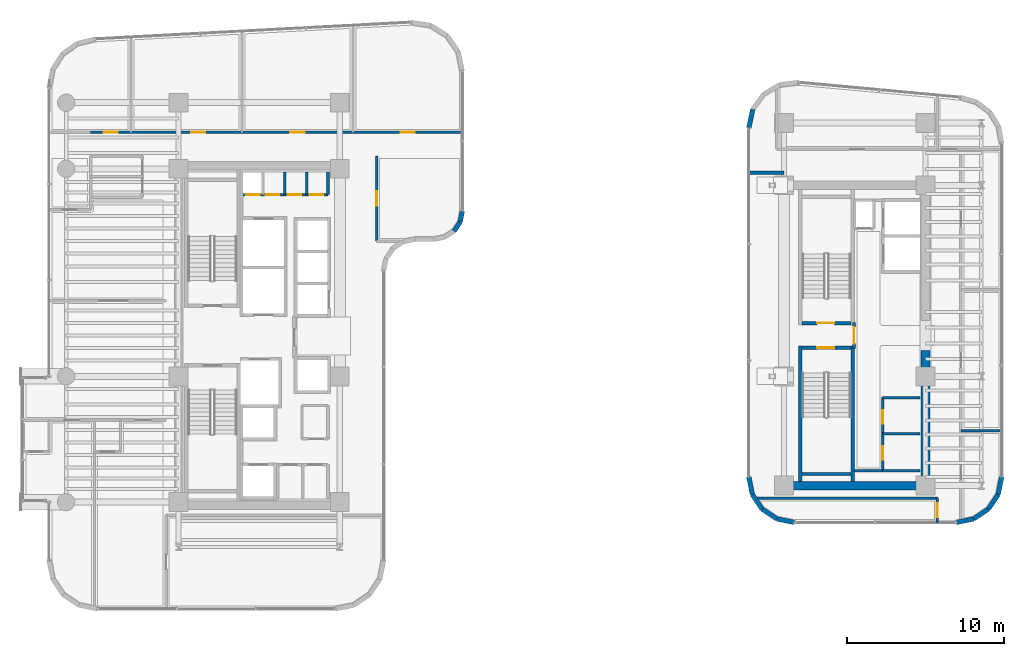
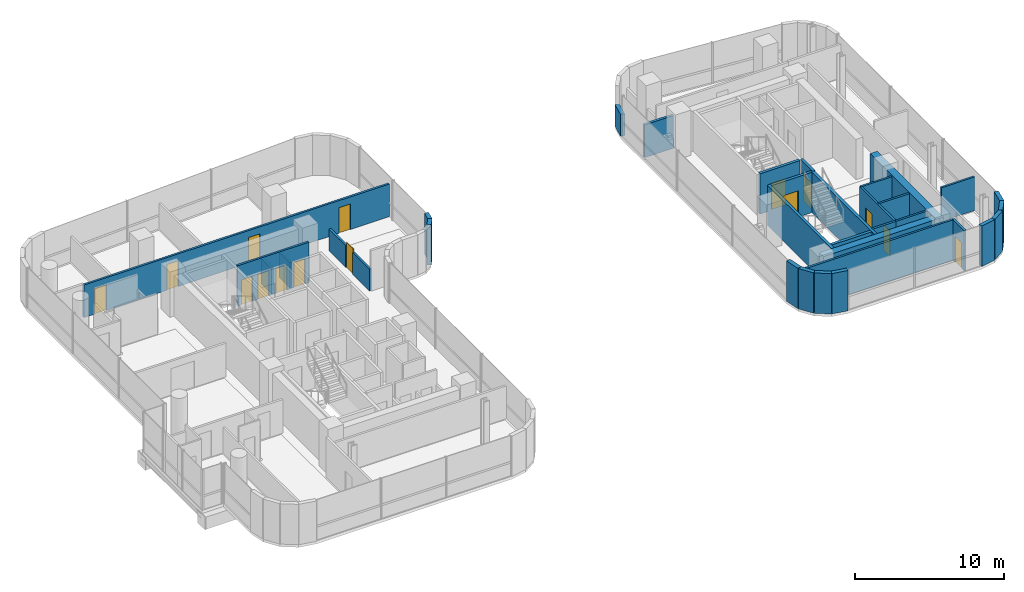
# One storey, part 29 of 35: 34 walls, 15 doors, 15 openings.
"""IFC4 building model written with IfcOpenShell, lengths in metres."""

import ifcopenshell
import ifcopenshell.guid

model = None  # the IFC model being written
_history = None  # IfcOwnerHistory: only IFC2X3 demands one
_inside = {}  # id of a spatial element -> (the spatial element, [elements in it])
_under = {}  # id of a project, library or spatial element -> (it, [spatial elements below it])
_declared = {}  # id of a project -> (the project, [libraries it declares])
_typed = {}  # id of a type object -> (the type object, [elements of that type])
_made_of = {}  # id of a material, layer set ... -> (it, [elements and type objects made of it])


def new_model(schema):
    """Start an empty IFC model of exactly this schema.

    Asked for "IFC4X3", IfcOpenShell would pick the latest addendum, in which some entities
    have other attributes; the version numbers below select the first issue.
    IFC2X3 requires an IfcOwnerHistory on every rooted entity: one is made here for all.
    """
    global model, _history
    if schema == "IFC4X3":
        model = ifcopenshell.file(schema_version=(4, 3, 0, 0))
    else:
        model = ifcopenshell.file(schema=schema)
    _inside.clear()
    _under.clear()
    _declared.clear()
    _typed.clear()
    _made_of.clear()
    _history = None
    if model.schema == "IFC2X3":
        org = make("IfcOrganization", Name="unknown")
        user = make(
            "IfcPersonAndOrganization",
            ThePerson=make("IfcPerson", FamilyName="unknown"),
            TheOrganization=org,
        )
        app = make(
            "IfcApplication",
            ApplicationDeveloper=org,
            Version="unknown",
            ApplicationFullName="unknown",
            ApplicationIdentifier="unknown",
        )
        _history = make(
            "IfcOwnerHistory",
            OwningUser=user,
            OwningApplication=app,
            ChangeAction="ADDED",
            CreationDate=0,
        )
    return model


def make(cls, **values):
    """One entity of the class cls with the attributes given. An attribute that is None is left unset."""
    return model.create_entity(
        cls, **{name: value for name, value in values.items() if value is not None}
    )


def rooted(cls, **values):
    """An entity with a GlobalId (a new one), such as an element, a storey or a relation."""
    return make(cls, GlobalId=ifcopenshell.guid.new(), OwnerHistory=_history, **values)


def si_unit(unit_type, name, prefix=None):
    """IfcSIUnit, for example si_unit("LENGTHUNIT", "METRE", prefix="MILLI")."""
    return make("IfcSIUnit", UnitType=unit_type, Prefix=prefix, Name=name)


def assignment(units):
    """IfcUnitAssignment: the units of a project."""
    return None if units is None else make("IfcUnitAssignment", Units=units)


def point(xyz):
    """IfcCartesianPoint."""
    return None if xyz is None else make("IfcCartesianPoint", Coordinates=xyz)


def direction(xyz):
    """IfcDirection."""
    return None if xyz is None else make("IfcDirection", DirectionRatios=xyz)


def frame(location, z_axis=None, x_axis=None):
    """IfcAxis2Placement3D, a coordinate frame: its origin and axes. An axis left out is left unset."""
    return make(
        "IfcAxis2Placement3D",
        Location=point(location),
        Axis=direction(z_axis),
        RefDirection=direction(x_axis),
    )


def frame_2d(location, x_axis=None):
    """IfcAxis2Placement2D, a coordinate frame in the plane: its origin and x axis."""
    return make(
        "IfcAxis2Placement2D", Location=point(location), RefDirection=direction(x_axis)
    )


def origin():
    """The frame at (0, 0, 0) with its axes left unset."""
    return frame((0.0, 0.0, 0.0))


def place(relative_to, where):
    """IfcLocalPlacement: puts the frame where relative to a parent placement (None: the world)."""
    return make(
        "IfcLocalPlacement", PlacementRelTo=relative_to, RelativePlacement=where
    )


def context(
    kind, dimensions, precision=None, world=None, true_north=None, identifier=None
):
    """IfcGeometricRepresentationContext, for example the 3D "Model" context."""
    return make(
        "IfcGeometricRepresentationContext",
        ContextIdentifier=identifier,
        ContextType=kind,
        CoordinateSpaceDimension=dimensions,
        Precision=precision,
        WorldCoordinateSystem=world,
        TrueNorth=true_north,
    )


def subcontext(parent, identifier, kind, view, scale=None):
    """IfcGeometricRepresentationSubContext, for example "Body" below "Model"."""
    return make(
        "IfcGeometricRepresentationSubContext",
        ContextIdentifier=identifier,
        ContextType=kind,
        ParentContext=parent,
        TargetScale=scale,
        TargetView=view,
    )


def project(units=None, contexts=None):
    """IfcProject with its units and contexts."""
    return rooted(
        "IfcProject",
        Name="project",
        RepresentationContexts=contexts,
        UnitsInContext=assignment(units),
    )


def spatial(cls, under=None, at=None, **own):
    """A site, building, storey or space (cls), placed at a placement, below another one or the project."""
    s = rooted(cls, ObjectPlacement=at, **own)
    if under is not None:
        _under.setdefault(under.id(), (under, []))[1].append(s)
    return s


def profile(cls, at=None, kind="AREA", **sizes):
    """A parametric profile (cls). Its sizes go by their IFC names, for example OverallWidth=200.0."""
    return make(cls, ProfileType=kind, Position=at, **sizes)


def rectangle(**sizes):
    """IfcRectangleProfileDef."""
    return profile("IfcRectangleProfileDef", **sizes)


def extrude(swept, where, along, depth):
    """IfcExtrudedAreaSolid: the profile swept, set in the frame where, extruded along a direction by depth."""
    return make(
        "IfcExtrudedAreaSolid",
        SweptArea=swept,
        Position=where,
        ExtrudedDirection=direction(along),
        Depth=depth,
    )


def shape(context_of_items, identifier, shape_type, items):
    """IfcShapeRepresentation: the items that make up one representation, for example the "Body"."""
    return make(
        "IfcShapeRepresentation",
        ContextOfItems=context_of_items,
        RepresentationIdentifier=identifier,
        RepresentationType=shape_type,
        Items=items,
    )


def material(Name=None, Category=None):
    """IfcMaterial."""
    return make("IfcMaterial", Name=Name, Category=Category)


def layer(
    of_material, thickness, ventilated=None, Name=None, Category=None, Priority=None
):
    """IfcMaterialLayer: one layer of a wall or slab, of a material (None: an air gap)."""
    return make(
        "IfcMaterialLayer",
        Material=of_material,
        LayerThickness=thickness,
        IsVentilated=ventilated,
        Name=Name,
        Category=Category,
        Priority=Priority,
    )


def layer_set(layers, Name=None):
    """IfcMaterialLayerSet."""
    return make("IfcMaterialLayerSet", MaterialLayers=layers, LayerSetName=Name)


def made_of(thing, what):
    """Note that an element or type object is made of a material, layer set ...; save() writes the relation."""
    if what is not None:
        _made_of.setdefault(what.id(), (what, []))[1].append(thing)
    return thing


def type_object(cls, material=None, **own):
    """A type object (cls), such as IfcWallType, which elements share."""
    return made_of(rooted(cls, **own), material)


def element(
    cls,
    number,
    at=None,
    inside=None,
    cuts=None,
    type_object=None,
    material=None,
    context=None,
    identifier="Body",
    shape_type=None,
    held_by="IfcProductDefinitionShape",
    body=None,
    shapes=None,
    **own,
):
    """One element of the class cls, such as IfcWall. Its Tag is "e" and its number.

    at: its placement. inside: the storey or other place that contains it. cuts: it is an
    opening in that element (IfcRelVoidsElement). A single representation is given by context,
    identifier, shape_type and body (its items); several are given by shapes. held_by: the class
    of the entity that holds the representations. save() writes the other relations.
    """
    e = rooted(cls, Tag="e%d" % number, ObjectPlacement=at, **own)
    if body is not None:
        shapes = [shape(context, identifier, shape_type, body)]
    if shapes is not None:
        e.Representation = make(held_by, Representations=shapes)
    if inside is not None:
        _inside.setdefault(inside.id(), (inside, []))[1].append(e)
    if cuts is not None:
        rooted(
            "IfcRelVoidsElement", RelatingBuildingElement=cuts, RelatedOpeningElement=e
        )
    if type_object is not None:
        _typed.setdefault(type_object.id(), (type_object, []))[1].append(e)
    return made_of(e, material)


def fill(opening, filler):
    """IfcRelFillsElement: the door or window that sits in an opening."""
    return rooted(
        "IfcRelFillsElement",
        RelatingOpeningElement=opening,
        RelatedBuildingElement=filler,
    )


def aggregate(whole, parts):
    """IfcRelAggregates: a whole, such as a stair, and the parts it consists of."""
    return rooted("IfcRelAggregates", RelatingObject=whole, RelatedObjects=parts)


def save(model, path):
    """Write the relations noted so far, then the file.

    IfcRelAggregates (storeys below a building ...), IfcRelContainedInSpatialStructure (elements
    in a storey), IfcRelDefinesByType, IfcRelAssociatesMaterial and IfcRelDeclares: one each for
    every whole, place, type object, material and project.
    """
    for whole, parts in _under.values():
        aggregate(whole, parts)
    for where, things in _inside.values():
        rooted(
            "IfcRelContainedInSpatialStructure",
            RelatedElements=things,
            RelatingStructure=where,
        )
    for kind, things in _typed.values():
        rooted("IfcRelDefinesByType", RelatedObjects=things, RelatingType=kind)
    for what, things in _made_of.values():
        rooted("IfcRelAssociatesMaterial", RelatedObjects=things, RelatingMaterial=what)
    for by, libraries in _declared.values():
        rooted("IfcRelDeclares", RelatingContext=by, RelatedDefinitions=libraries)
    model.write(path)


model = new_model("IFC4")

# Units and contexts
model_context = context("Model", 3, precision=1e-05, world=origin(), true_north=direction((0.0, 1.0)))
body_context = subcontext(model_context, "Body", "Model", "MODEL_VIEW")
ifc_project = project(units=[si_unit("LENGTHUNIT", "METRE"), si_unit("AREAUNIT", "SQUARE_METRE"), si_unit("VOLUMEUNIT", "CUBIC_METRE"), si_unit("PLANEANGLEUNIT", "RADIAN"), si_unit("MASSUNIT", "GRAM", prefix="KILO")], contexts=[model_context])

# Site, building, storey
site_placement = place(None, origin())
site = spatial("IfcSite", under=ifc_project, at=site_placement, CompositionType="ELEMENT")
building_placement = place(site_placement, origin())
building = spatial("IfcBuilding", under=site, at=building_placement, Name="Valdorenza Pilgrim Sanctuary Tower", CompositionType="ELEMENT")
storey_placement = place(building_placement, frame((0.0, 0.0, 168.60009765625)))
storey = spatial("IfcBuildingStorey", under=building, at=storey_placement, Name="L43", CompositionType="ELEMENT", Elevation=168.60009765625)

# Wall, openings, doors
ifc_material_1 = material(Name="Acoustic twin-stud gypsum partition", Category="gypsum")
ifc_layer_1 = layer(ifc_material_1, 0.159912109375, Name="Acoustic twin-stud gypsum partition")
ifc_layer_set_1 = layer_set([ifc_layer_1], Name="Acoustic twin-stud gypsum partition")
wall_type_1 = type_object("IfcWallType", Name="WAL-COR-160", PredefinedType="PARTITIONING", material=ifc_layer_set_1)
wall_1_placement = place(storey_placement, frame((-18.64990234375, 8.949951171875, 0.0), z_axis=(0.0, 0.0, 1.0), x_axis=(1.0, 0.0, 0.0)))
wall_1 = element("IfcWall", 1, at=wall_1_placement, inside=storey, type_object=wall_type_1, Name="L43 Core A North Service South Wall", PredefinedType="PARTITIONING", context=body_context, shape_type="SweptSolid", body=[
    extrude(rectangle(XDim=5.5, YDim=0.159912109375, at=frame_2d((2.75, 0.0))), origin(), (0.0, 0.0, 1.0), 3.2998046875),
])
opening_1_placement = place(wall_1_placement, frame((0.300048828125, 0.0, 0.0)))
opening_1 = element("IfcOpeningElement", 2, at=opening_1_placement, cuts=wall_1, Name="Opening DR-RS1", PredefinedType="OPENING", context=body_context, shape_type="SweptSolid", body=[
    extrude(rectangle(XDim=0.85009765625, YDim=2.050048828125, at=frame_2d((0.425048828125, 1.02490234375))), frame((0.0, 0.0947265625, 0.0), z_axis=(0.0, -1.0, 0.0), x_axis=(1.0, 0.0, 0.0)), (0.0, 0.0, 1.0), 0.189697265625),
])
opening_2_placement = place(wall_1_placement, frame((1.550048828125, 0.0, 0.0)))
opening_2 = element("IfcOpeningElement", 3, at=opening_2_placement, cuts=wall_1, Name="Opening DR-RS1", PredefinedType="OPENING", context=body_context, shape_type="SweptSolid", body=[
    extrude(rectangle(XDim=0.85009765625, YDim=2.050048828125, at=frame_2d((0.425048828125, 1.02490234375))), frame((0.0, 0.0947265625, 0.0), z_axis=(0.0, -1.0, 0.0), x_axis=(1.0, 0.0, 0.0)), (0.0, 0.0, 1.0), 0.189697265625),
])
opening_3_placement = place(wall_1_placement, frame((2.949951171875, 0.0, 0.0)))
opening_3 = element("IfcOpeningElement", 4, at=opening_3_placement, cuts=wall_1, Name="Opening DR-RS1", PredefinedType="OPENING", context=body_context, shape_type="SweptSolid", body=[
    extrude(rectangle(XDim=0.85009765625, YDim=2.050048828125, at=frame_2d((0.425048828125, 1.02490234375))), frame((0.0, 0.0947265625, 0.0), z_axis=(0.0, -1.0, 0.0), x_axis=(1.0, 0.0, 0.0)), (0.0, 0.0, 1.0), 0.189697265625),
])
opening_4_placement = place(wall_1_placement, frame((4.35009765625, 0.0, 0.0)))
opening_4 = element("IfcOpeningElement", 5, at=opening_4_placement, cuts=wall_1, Name="Opening DR-RS1", PredefinedType="OPENING", context=body_context, shape_type="SweptSolid", body=[
    extrude(rectangle(XDim=0.85009765625, YDim=2.050048828125, at=frame_2d((0.425048828125, 1.02490234375))), frame((0.0, 0.0947265625, 0.0), z_axis=(0.0, -1.0, 0.0), x_axis=(1.0, 0.0, 0.0)), (0.0, 0.0, 1.0), 0.189697265625),
])
ifc_material_2 = material(Name="Painted galvanized steel", Category="steel")
door_type_1 = type_object("IfcDoorType", Name="DR-RSR-850", OperationType="NOTDEFINED", PredefinedType="DOOR", material=ifc_material_2)
door_1_placement = place(opening_1_placement, origin())
door_1 = element("IfcDoor", 6, at=door_1_placement, inside=storey, type_object=door_type_1, Name="L43 Core Electrical and Telecom Riser Door", OperationType="SINGLE_SWING_LEFT", OverallHeight=2.050048828125, OverallWidth=0.85009765625, PredefinedType="DOOR", context=body_context, shape_type="SweptSolid", body=[
    extrude(rectangle(XDim=0.85009765625, YDim=2.050048828125, at=frame_2d((0.425048828125, 1.02490234375))), frame((0.0, 0.02490234375, 0.0), z_axis=(0.0, -1.0, 0.0), x_axis=(1.0, 0.0, 0.0)), (0.0, 0.0, 1.0), 0.050048828125),
])
fill(opening_1, door_1)
door_2_placement = place(opening_2_placement, origin())
door_2 = element("IfcDoor", 7, at=door_2_placement, inside=storey, type_object=door_type_1, Name="L43 Housekeeping and Clean Linen Room Door", OperationType="SINGLE_SWING_RIGHT", OverallHeight=2.050048828125, OverallWidth=0.85009765625, PredefinedType="DOOR", context=body_context, shape_type="SweptSolid", body=[
    extrude(rectangle(XDim=0.85009765625, YDim=2.050048828125, at=frame_2d((0.425048828125, 1.02490234375))), frame((0.0, 0.02490234375, 0.0), z_axis=(0.0, -1.0, 0.0), x_axis=(1.0, 0.0, 0.0)), (0.0, 0.0, 1.0), 0.050048828125),
])
fill(opening_2, door_2)
door_3_placement = place(opening_3_placement, origin())
door_3 = element("IfcDoor", 8, at=door_3_placement, inside=storey, type_object=door_type_1, Name="L43 Core IT Server Closet Door", OperationType="SINGLE_SWING_LEFT", OverallHeight=2.050048828125, OverallWidth=0.85009765625, PredefinedType="DOOR", context=body_context, shape_type="SweptSolid", body=[
    extrude(rectangle(XDim=0.85009765625, YDim=2.050048828125, at=frame_2d((0.425048828125, 1.02490234375))), frame((0.0, 0.02490234375, 0.0), z_axis=(0.0, -1.0, 0.0), x_axis=(1.0, 0.0, 0.0)), (0.0, 0.0, 1.0), 0.050048828125),
])
fill(opening_3, door_3)
door_4_placement = place(opening_4_placement, origin())
door_4 = element("IfcDoor", 9, at=door_4_placement, inside=storey, type_object=door_type_1, Name="L43 Core Staff Washroom Door", OperationType="SINGLE_SWING_RIGHT", OverallHeight=2.050048828125, OverallWidth=0.85009765625, PredefinedType="DOOR", context=body_context, shape_type="SweptSolid", body=[
    extrude(rectangle(XDim=0.85009765625, YDim=2.050048828125, at=frame_2d((0.425048828125, 1.02490234375))), frame((0.0, 0.02490234375, 0.0), z_axis=(0.0, -1.0, 0.0), x_axis=(1.0, 0.0, 0.0)), (0.0, 0.0, 1.0), 0.050048828125),
])
fill(opening_4, door_4)

# Walls
for number, where, z_axis, x_axis, name in (
    (10, (-13.14990234375, 8.949951171875, 0.0), (0.0, 0.0, 1.0), (0.0, 1.0, 0.0), "L43 Core A North Service East Wall"),
    (11, (-15.89990234375, 8.949951171875, 0.0), (0.0, 0.0, 1.0), (0.0, 1.0, 0.0), "L43 Core A Split D1"),
    (12, (-14.5, 8.949951171875, 0.0), (0.0, 0.0, 1.0), (0.0, 1.0, 0.0), "L43 Core A Split D2"),
):
    element("IfcWall", number, at=place(storey_placement, frame(where, z_axis=z_axis, x_axis=x_axis)), inside=storey, type_object=wall_type_1, Name=name, PredefinedType="PARTITIONING", context=body_context, shape_type="SweptSolid", body=[
        extrude(rectangle(XDim=1.429931640625, YDim=0.159912109375, at=frame_2d((0.71484375, 0.0))), origin(), (0.0, 0.0, 1.0), 2.0849609375),
    ])
wall_2_placement = place(storey_placement, frame((20.300048828125, -8.60009765625, 0.0), z_axis=(0.0, 0.0, 1.0), x_axis=(1.0, 0.0, 0.0)))
element("IfcWall", 13, at=wall_2_placement, inside=storey, type_object=wall_type_1, Name="L43 Core B Lift Hall South End Wall", PredefinedType="PARTITIONING", context=body_context, shape_type="SweptSolid", body=[
    extrude(rectangle(XDim=1.820068359375, YDim=0.159912109375, at=frame_2d((0.91015625, 0.0))), origin(), (0.0, 0.0, 1.0), 3.2998046875),
])

# Wall, openings, doors
wall_3_placement = place(storey_placement, frame((22.1201171875, -8.60009765625, 0.0), z_axis=(0.0, 0.0, 1.0), x_axis=(0.0, 1.0, 0.0)))
wall_3 = element("IfcWall", 14, at=wall_3_placement, inside=storey, type_object=wall_type_1, Name="L43 Core B Freed Shaft West Wall", PredefinedType="PARTITIONING", context=body_context, shape_type="SweptSolid", body=[
    extrude(rectangle(XDim=4.650146484375, YDim=0.159912109375, at=frame_2d((2.3251953125, 0.0))), origin(), (0.0, 0.0, 1.0), 3.2998046875),
])
opening_5_placement = place(wall_3_placement, frame((0.699951171875, 0.0, 0.0)))
opening_5 = element("IfcOpeningElement", 15, at=opening_5_placement, cuts=wall_3, Name="Opening DR-RS1", PredefinedType="OPENING", context=body_context, shape_type="SweptSolid", body=[
    extrude(rectangle(XDim=0.85009765625, YDim=2.050048828125, at=frame_2d((0.425048828125, 1.02490234375))), frame((0.0, 0.0947265625, 0.0), z_axis=(0.0, -1.0, 0.0), x_axis=(1.0, 0.0, 0.0)), (0.0, 0.0, 1.0), 0.189697265625),
])
opening_6_placement = place(wall_3_placement, frame((3.0, 0.0, 0.0)))
opening_6 = element("IfcOpeningElement", 16, at=opening_6_placement, cuts=wall_3, Name="Opening DR-RS1", PredefinedType="OPENING", context=body_context, shape_type="SweptSolid", body=[
    extrude(rectangle(XDim=0.85009765625, YDim=2.050048828125, at=frame_2d((0.425048828125, 1.02490234375))), frame((0.0, 0.0947265625, 0.0), z_axis=(0.0, -1.0, 0.0), x_axis=(1.0, 0.0, 0.0)), (0.0, 0.0, 1.0), 0.189697265625),
])
door_5_placement = place(opening_5_placement, origin())
door_5 = element("IfcDoor", 17, at=door_5_placement, inside=storey, type_object=door_type_1, Name="L43 East Core Housekeeping Store Door", OperationType="SINGLE_SWING_RIGHT", OverallHeight=2.050048828125, OverallWidth=0.85009765625, PredefinedType="DOOR", context=body_context, shape_type="SweptSolid", body=[
    extrude(rectangle(XDim=0.85009765625, YDim=2.050048828125, at=frame_2d((0.425048828125, 1.02490234375))), frame((0.0, 0.02490234375, 0.0), z_axis=(0.0, -1.0, 0.0), x_axis=(1.0, 0.0, 0.0)), (0.0, 0.0, 1.0), 0.050048828125),
])
fill(opening_5, door_5)
door_6_placement = place(opening_6_placement, origin())
door_6 = element("IfcDoor", 18, at=door_6_placement, inside=storey, type_object=door_type_1, Name="L43 East Core Tea Pantry Door", OperationType="SINGLE_SWING_LEFT", OverallHeight=2.050048828125, OverallWidth=0.85009765625, PredefinedType="DOOR", context=body_context, shape_type="SweptSolid", body=[
    extrude(rectangle(XDim=0.85009765625, YDim=2.050048828125, at=frame_2d((0.425048828125, 1.02490234375))), frame((0.0, 0.02490234375, 0.0), z_axis=(0.0, -1.0, 0.0), x_axis=(1.0, 0.0, 0.0)), (0.0, 0.0, 1.0), 0.050048828125),
])
fill(opening_6, door_6)

# Wall
wall_4_placement = place(storey_placement, frame((22.1201171875, -6.25, 0.0), z_axis=(0.0, 0.0, 1.0), x_axis=(1.0, 0.0, 0.0)))
element("IfcWall", 19, at=wall_4_placement, inside=storey, type_object=wall_type_1, Name="L43 Core B Freed Split", PredefinedType="PARTITIONING", context=body_context, shape_type="SweptSolid", body=[
    extrude(rectangle(XDim=2.3798828125, YDim=0.159912109375, at=frame_2d((1.18994140625, 0.0))), origin(), (0.0, 0.0, 1.0), 3.2998046875),
])

# Wall, openings, doors
wall_5_placement = place(storey_placement, frame((-28.25, 12.919921875, 0.0), z_axis=(0.0, 0.0, 1.0), x_axis=(1.0, 0.0, 0.0)))
wall_5 = element("IfcWall", 20, at=wall_5_placement, inside=storey, type_object=wall_type_1, Name="L43 North Corridor Wall", PredefinedType="PARTITIONING", context=body_context, shape_type="SweptSolid", body=[
    extrude(rectangle(XDim=23.639892578125, YDim=0.159912109375, at=frame_2d((11.81982421875, 0.0))), origin(), (0.0, 0.0, 1.0), 2.673828125),
])
opening_7_placement = place(wall_5_placement, frame((0.8349609375, 0.0, 0.0)))
opening_7 = element("IfcOpeningElement", 21, at=opening_7_placement, cuts=wall_5, Name="Opening DR-RM1", PredefinedType="OPENING", context=body_context, shape_type="SweptSolid", body=[
    extrude(rectangle(XDim=0.89990234375, YDim=2.10009765625, at=frame_2d((0.449951171875, 1.050048828125))), frame((0.0, 0.0947265625, 0.0), z_axis=(0.0, -1.0, 0.0), x_axis=(1.0, 0.0, 0.0)), (0.0, 0.0, 1.0), 0.189697265625),
])
opening_8_placement = place(wall_5_placement, frame((6.409912109375, 0.0, 0.0)))
opening_8 = element("IfcOpeningElement", 22, at=opening_8_placement, cuts=wall_5, Name="Opening DR-RM1", PredefinedType="OPENING", context=body_context, shape_type="SweptSolid", body=[
    extrude(rectangle(XDim=0.89990234375, YDim=2.10009765625, at=frame_2d((0.449951171875, 1.050048828125))), frame((0.0, 0.0947265625, 0.0), z_axis=(0.0, -1.0, 0.0), x_axis=(1.0, 0.0, 0.0)), (0.0, 0.0, 1.0), 0.189697265625),
])
opening_9_placement = place(wall_5_placement, frame((12.7099609375, 0.0, 0.0)))
opening_9 = element("IfcOpeningElement", 23, at=opening_9_placement, cuts=wall_5, Name="Opening DR-RM1", PredefinedType="OPENING", context=body_context, shape_type="SweptSolid", body=[
    extrude(rectangle(XDim=0.89990234375, YDim=2.10009765625, at=frame_2d((0.449951171875, 1.050048828125))), frame((0.0, 0.0947265625, 0.0), z_axis=(0.0, -1.0, 0.0), x_axis=(1.0, 0.0, 0.0)), (0.0, 0.0, 1.0), 0.189697265625),
])
opening_10_placement = place(wall_5_placement, frame((19.715087890625, 0.0, 0.0)))
opening_10 = element("IfcOpeningElement", 24, at=opening_10_placement, cuts=wall_5, Name="Opening DR-RM1", PredefinedType="OPENING", context=body_context, shape_type="SweptSolid", body=[
    extrude(rectangle(XDim=0.89990234375, YDim=2.10009765625, at=frame_2d((0.449951171875, 1.050048828125))), frame((0.0, 0.0947265625, 0.0), z_axis=(0.0, -1.0, 0.0), x_axis=(1.0, 0.0, 0.0)), (0.0, 0.0, 1.0), 0.189697265625),
])
ifc_material_3 = material(Name="Solid-core European oak timber", Category="wood")
door_type_2 = type_object("IfcDoorType", Name="DR-ROOM-900", OperationType="NOTDEFINED", PredefinedType="DOOR", material=ifc_material_3)
door_7_placement = place(opening_7_placement, frame((0.89990234375, 0.0, 0.0), z_axis=(0.0, 0.0, 1.0), x_axis=(-1.0, 0.0, 0.0)))
door_7 = element("IfcDoor", 25, at=door_7_placement, inside=storey, type_object=door_type_2, Name="L43 Sanctuary Administration Office L43-N1 Door", OperationType="SINGLE_SWING_LEFT", OverallHeight=2.10009765625, OverallWidth=0.89990234375, PredefinedType="DOOR", context=body_context, shape_type="SweptSolid", body=[
    extrude(rectangle(XDim=0.89990234375, YDim=2.10009765625, at=frame_2d((0.449951171875, 1.050048828125))), frame((0.0, 0.02490234375, 0.0), z_axis=(0.0, -1.0, 0.0), x_axis=(1.0, 0.0, 0.0)), (0.0, 0.0, 1.0), 0.050048828125),
])
fill(opening_7, door_7)
door_8_placement = place(opening_8_placement, origin())
door_8 = element("IfcDoor", 26, at=door_8_placement, inside=storey, type_object=door_type_2, Name="L43 Sanctuary Administration Office L43-N2 Door", OperationType="SINGLE_SWING_RIGHT", OverallHeight=2.10009765625, OverallWidth=0.89990234375, PredefinedType="DOOR", context=body_context, shape_type="SweptSolid", body=[
    extrude(rectangle(XDim=0.89990234375, YDim=2.10009765625, at=frame_2d((0.449951171875, 1.050048828125))), frame((0.0, 0.02490234375, 0.0), z_axis=(0.0, -1.0, 0.0), x_axis=(1.0, 0.0, 0.0)), (0.0, 0.0, 1.0), 0.050048828125),
])
fill(opening_8, door_8)
door_9_placement = place(opening_9_placement, frame((0.89990234375, 0.0, 0.0), z_axis=(0.0, 0.0, 1.0), x_axis=(-1.0, 0.0, 0.0)))
door_9 = element("IfcDoor", 27, at=door_9_placement, inside=storey, type_object=door_type_2, Name="L43 Sanctuary Administration Office L43-N3 Door", OperationType="SINGLE_SWING_LEFT", OverallHeight=2.10009765625, OverallWidth=0.89990234375, PredefinedType="DOOR", context=body_context, shape_type="SweptSolid", body=[
    extrude(rectangle(XDim=0.89990234375, YDim=2.10009765625, at=frame_2d((0.449951171875, 1.050048828125))), frame((0.0, 0.02490234375, 0.0), z_axis=(0.0, -1.0, 0.0), x_axis=(1.0, 0.0, 0.0)), (0.0, 0.0, 1.0), 0.050048828125),
])
fill(opening_9, door_9)
door_10_placement = place(opening_10_placement, origin())
door_10 = element("IfcDoor", 28, at=door_10_placement, inside=storey, type_object=door_type_2, Name="L43 Sanctuary Administration Office L43-N4 Door", OperationType="SINGLE_SWING_RIGHT", OverallHeight=2.10009765625, OverallWidth=0.89990234375, PredefinedType="DOOR", context=body_context, shape_type="SweptSolid", body=[
    extrude(rectangle(XDim=0.89990234375, YDim=2.10009765625, at=frame_2d((0.449951171875, 1.050048828125))), frame((0.0, 0.02490234375, 0.0), z_axis=(0.0, -1.0, 0.0), x_axis=(1.0, 0.0, 0.0)), (0.0, 0.0, 1.0), 0.050048828125),
])
fill(opening_10, door_10)

# Wall, opening, door
wall_6_placement = place(storey_placement, frame((-10.050048828125, 6.0, 0.0), z_axis=(0.0, 0.0, 1.0), x_axis=(0.0, 1.0, 0.0)))
wall_6 = element("IfcWall", 29, at=wall_6_placement, inside=storey, type_object=wall_type_1, Name="L43 East Stub Corridor Wall", PredefinedType="PARTITIONING", context=body_context, shape_type="SweptSolid", body=[
    extrude(rectangle(XDim=5.419921875, YDim=0.159912109375, at=frame_2d((2.7099609375, 0.0))), origin(), (0.0, 0.0, 1.0), 1.784912109375),
])
opening_11_placement = place(wall_6_placement, frame((2.260009765625, 0.0, 0.0)))
opening_11 = element("IfcOpeningElement", 30, at=opening_11_placement, cuts=wall_6, Name="Opening DR-RM2", PredefinedType="OPENING", context=body_context, shape_type="SweptSolid", body=[
    extrude(rectangle(XDim=0.89990234375, YDim=2.0400390625, at=frame_2d((0.449951171875, 1.02001953125))), frame((0.0, 0.0947265625, 0.0), z_axis=(0.0, -1.0, 0.0), x_axis=(1.0, 0.0, 0.0)), (0.0, 0.0, 1.0), 0.189697265625),
])
door_type_3 = type_object("IfcDoorType", Name="DR-ROOM-900L", OperationType="NOTDEFINED", PredefinedType="DOOR", material=ifc_material_3)
door_11_placement = place(opening_11_placement, frame((0.89990234375, 0.0, 0.0), z_axis=(0.0, 0.0, 1.0), x_axis=(-1.0, 0.0, 0.0)))
door_11 = element("IfcDoor", 31, at=door_11_placement, inside=storey, type_object=door_type_3, Name="L43 Pilgrim Scholar Office L43-E1 Door", OperationType="SINGLE_SWING_LEFT", OverallHeight=2.0400390625, OverallWidth=0.89990234375, PredefinedType="DOOR", context=body_context, shape_type="SweptSolid", body=[
    extrude(rectangle(XDim=0.89990234375, YDim=2.0400390625, at=frame_2d((0.449951171875, 1.02001953125))), frame((0.0, 0.02490234375, 0.0), z_axis=(0.0, -1.0, 0.0), x_axis=(1.0, 0.0, 0.0)), (0.0, 0.0, 1.0), 0.050048828125),
])
fill(opening_11, door_11)

wall_7_placement = place(storey_placement, frame((25.60009765625, -11.889892578125, 0.0), z_axis=(0.0, 0.0, 1.0), x_axis=(0.0, 1.0, 0.0)))
wall_7 = element("IfcWall", 32, at=wall_7_placement, inside=storey, type_object=wall_type_1, Name="L43 Wing B South-East Wall", PredefinedType="PARTITIONING", context=body_context, shape_type="SweptSolid", body=[
    extrude(rectangle(XDim=1.539794921875, YDim=0.159912109375, at=frame_2d((0.77001953125, 0.0))), origin(), (0.0, 0.0, 1.0), 3.2998046875),
])
opening_12_placement = place(wall_7_placement, frame((0.320068359375, 0.0, 0.0)))
opening_12 = element("IfcOpeningElement", 33, at=opening_12_placement, cuts=wall_7, Name="Opening DR-RM1", PredefinedType="OPENING", context=body_context, shape_type="SweptSolid", body=[
    extrude(rectangle(XDim=0.89990234375, YDim=2.10009765625, at=frame_2d((0.449951171875, 1.050048828125))), frame((0.0, 0.0947265625, 0.0), z_axis=(0.0, -1.0, 0.0), x_axis=(1.0, 0.0, 0.0)), (0.0, 0.0, 1.0), 0.189697265625),
])
door_12_placement = place(opening_12_placement, frame((0.89990234375, 0.0, 0.0), z_axis=(0.0, 0.0, 1.0), x_axis=(-1.0, 0.0, 0.0)))
door_12 = element("IfcDoor", 34, at=door_12_placement, inside=storey, type_object=door_type_2, Name="L43 Sacred Manuscript Archive L43-BS Door", OperationType="SINGLE_SWING_LEFT", OverallHeight=2.10009765625, OverallWidth=0.89990234375, PredefinedType="DOOR", context=body_context, shape_type="SweptSolid", body=[
    extrude(rectangle(XDim=0.89990234375, YDim=2.10009765625, at=frame_2d((0.449951171875, 1.050048828125))), frame((0.0, 0.02490234375, 0.0), z_axis=(0.0, -1.0, 0.0), x_axis=(1.0, 0.0, 0.0)), (0.0, 0.0, 1.0), 0.050048828125),
])
fill(opening_12, door_12)

# Walls
wall_8_placement = place(storey_placement, frame((14.14599609375, -10.35009765625, 0.0), z_axis=(0.0, 0.0, 1.0), x_axis=(1.0, 0.0, 0.0)))
element("IfcWall", 35, at=wall_8_placement, inside=storey, type_object=wall_type_1, Name="L43 Wing B South Closure", PredefinedType="PARTITIONING", context=body_context, shape_type="SweptSolid", body=[
    extrude(rectangle(XDim=11.4541015625, YDim=0.159912109375, at=frame_2d((5.72705078125, 0.0))), origin(), (0.0, 0.0, 1.0), 3.2998046875),
])
ifc_material_4 = material(Name="Concrete C50/60", Category="concrete")
ifc_layer_2 = layer(ifc_material_4, 0.550048828125, Name="Concrete C50/60")
ifc_layer_set_2 = layer_set([ifc_layer_2], Name="Concrete C50/60")
wall_type_2 = type_object("IfcWallType", Name="WAL-COR-550", PredefinedType="SHEAR", material=ifc_layer_set_2)
wall_9_placement = place(storey_placement, frame((24.85009765625, -9.824951171875, 0.0), z_axis=(0.0, 0.0, 1.0), x_axis=(0.0, 1.0, 0.0)))
element("IfcWall", 36, at=wall_9_placement, inside=storey, type_object=wall_type_2, Name="L43 Split Core B Shear Wall ES", PredefinedType="SHEAR", context=body_context, shape_type="SweptSolid", body=[
    extrude(rectangle(XDim=8.875, YDim=0.550048828125, at=frame_2d((4.4375, 0.0))), origin(), (0.0, 0.0, 1.0), 3.2998046875),
])
wall_10_placement = place(storey_placement, frame((15.85009765625, -9.550048828125, 0.0), z_axis=(0.0, 0.0, 1.0), x_axis=(1.0, 0.0, 0.0)))
element("IfcWall", 37, at=wall_10_placement, inside=storey, type_object=wall_type_2, Name="L43 Split Core B Shear Wall S", PredefinedType="SHEAR", context=body_context, shape_type="SweptSolid", body=[
    extrude(rectangle(XDim=9.0, YDim=0.550048828125, at=frame_2d((4.5, 0.0))), origin(), (0.0, 0.0, 1.0), 3.2998046875),
])
ifc_material_5 = material(Name="Honed travertine limestone", Category="masonry")
ifc_layer_3 = layer(ifc_material_5, 0.300048828125, Name="Honed travertine limestone")
ifc_layer_set_3 = layer_set([ifc_layer_3], Name="Honed travertine limestone")
wall_type_3 = type_object("IfcWallType", Name="WAL-EXT-300", PredefinedType="SOLIDWALL", material=ifc_layer_set_3)
wall_11_placement = place(storey_placement, frame((-4.610107421875, 7.910888671875, 0.0), z_axis=(0.0, 0.0, 1.0), x_axis=(-0.194989739953, -0.980805282058, 0.0)))
element("IfcWall", 38, at=wall_11_placement, inside=storey, type_object=wall_type_3, Name="L43 Rounded Wind-Corner Stone Pier 12", PredefinedType="SOLIDWALL", context=body_context, shape_type="SweptSolid", body=[
    extrude(rectangle(XDim=0.708740234375, YDim=0.300048828125, at=frame_2d((0.3544921875, 0.0))), origin(), (0.0, 0.0, 1.0), 3.2998046875),
])
wall_12_placement = place(storey_placement, frame((-4.748291015625, 7.2158203125, 0.0), z_axis=(0.0, 0.0, 1.0), x_axis=(-0.555426877366, -0.831565381614, 0.0)))
element("IfcWall", 39, at=wall_12_placement, inside=storey, type_object=wall_type_3, Name="L43 Rounded Wind-Corner Stone Pier 13", PredefinedType="SOLIDWALL", context=body_context, shape_type="SweptSolid", body=[
    extrude(rectangle(XDim=0.697509765625, YDim=0.300048828125, at=frame_2d((0.3486328125, 0.0))), origin(), (0.0, 0.0, 1.0), 3.2998046875),
])
wall_13_placement = place(storey_placement, frame((13.610107421875, 13.19970703125, 0.0), z_axis=(0.0, 0.0, 1.0), x_axis=(0.206133180315, 0.978523945529, 0.0)))
element("IfcWall", 40, at=wall_13_placement, inside=storey, type_object=wall_type_3, Name="L43 Rounded Wind-Corner Stone Pier 2", PredefinedType="SOLIDWALL", context=body_context, shape_type="SweptSolid", body=[
    extrude(rectangle(XDim=1.203369140625, YDim=0.300048828125, at=frame_2d((0.6015625, 0.0))), origin(), (0.0, 0.0, 1.0), 1.784912109375),
])
wall_14_placement = place(storey_placement, frame((29.68994140625, -8.9892578125, 0.0), z_axis=(0.0, 0.0, 1.0), x_axis=(-0.195043173023, -0.980794657743, 0.0)))
element("IfcWall", 41, at=wall_14_placement, inside=storey, type_object=wall_type_3, Name="L43 Rounded Wind-Corner Stone Pier 12", PredefinedType="SOLIDWALL", context=body_context, shape_type="SweptSolid", body=[
    extrude(rectangle(XDim=1.137939453125, YDim=0.300048828125, at=frame_2d((0.56884765625, 0.0))), origin(), (0.0, 0.0, 1.0), 3.2998046875),
])
for number, where, z_axis, x_axis, name in (
    (42, (29.468017578125, -10.105224609375, 0.0), (0.0, 0.0, 1.0), (-0.555599979619, -0.831449735491, 0.0), "L43 Rounded Wind-Corner Stone Pier 13"),
    (43, (28.842041015625, -11.0419921875, 0.0), (0.0, 0.0, 1.0), (-0.831449735491, -0.555599979619, 0.0), "L43 Rounded Wind-Corner Stone Pier 14"),
):
    element("IfcWall", number, at=place(storey_placement, frame(where, z_axis=z_axis, x_axis=x_axis)), inside=storey, type_object=wall_type_3, Name=name, PredefinedType="SOLIDWALL", context=body_context, shape_type="SweptSolid", body=[
        extrude(rectangle(XDim=1.126708984375, YDim=0.300048828125, at=frame_2d((0.5634765625, 0.0))), origin(), (0.0, 0.0, 1.0), 3.2998046875),
    ])
for number, where, z_axis, x_axis, name in (
    (44, (27.9052734375, -11.66796875, 0.0), (0.0, 0.0, 1.0), (-0.980794657743, -0.195043173023, 0.0), "L43 Rounded Wind-Corner Stone Pier 15"),
    (45, (16.5107421875, -11.889892578125, 0.0), (0.0, 0.0, 1.0), (-0.980794657743, 0.195043173023, 0.0), "L43 Rounded Wind-Corner Stone Pier 17"),
):
    element("IfcWall", number, at=place(storey_placement, frame(where, z_axis=z_axis, x_axis=x_axis)), inside=storey, type_object=wall_type_3, Name=name, PredefinedType="SOLIDWALL", context=body_context, shape_type="SweptSolid", body=[
        extrude(rectangle(XDim=1.137939453125, YDim=0.300048828125, at=frame_2d((0.56884765625, 0.0))), origin(), (0.0, 0.0, 1.0), 3.2998046875),
    ])
for number, where, z_axis, x_axis, name in (
    (46, (15.394775390625, -11.66796875, 0.0), (0.0, 0.0, 1.0), (-0.831449735491, 0.555599979619, 0.0), "L43 Rounded Wind-Corner Stone Pier 18"),
    (47, (14.4580078125, -11.0419921875, 0.0), (0.0, 0.0, 1.0), (-0.555599979619, 0.831449735491, 0.0), "L43 Rounded Wind-Corner Stone Pier 19"),
):
    element("IfcWall", number, at=place(storey_placement, frame(where, z_axis=z_axis, x_axis=x_axis)), inside=storey, type_object=wall_type_3, Name=name, PredefinedType="SOLIDWALL", context=body_context, shape_type="SweptSolid", body=[
        extrude(rectangle(XDim=1.126708984375, YDim=0.300048828125, at=frame_2d((0.5634765625, 0.0))), origin(), (0.0, 0.0, 1.0), 3.2998046875),
    ])
wall_15_placement = place(storey_placement, frame((13.83203125, -10.105224609375, 0.0), z_axis=(0.0, 0.0, 1.0), x_axis=(-0.195043173023, 0.980794657743, 0.0)))
element("IfcWall", 48, at=wall_15_placement, inside=storey, type_object=wall_type_3, Name="L43 Rounded Wind-Corner Stone Pier 20", PredefinedType="SOLIDWALL", context=body_context, shape_type="SweptSolid", body=[
    extrude(rectangle(XDim=1.137939453125, YDim=0.300048828125, at=frame_2d((0.56884765625, 0.0))), origin(), (0.0, 0.0, 1.0), 3.2998046875),
])

# Wall, opening, door
ifc_material_6 = material(Name="Gypsum shaftwall partition", Category="gypsum")
ifc_layer_4 = layer(ifc_material_6, 0.199951171875, Name="Gypsum shaftwall partition")
ifc_layer_set_4 = layer_set([ifc_layer_4], Name="Gypsum shaftwall partition")
wall_type_4 = type_object("IfcWallType", Name="WAL-FFL-200", PredefinedType="PARTITIONING", material=ifc_layer_set_4)
wall_16_placement = place(storey_placement, frame((20.300048828125, -0.820068359375, 0.0), z_axis=(0.0, 0.0, 1.0), x_axis=(0.0, 1.0, 0.0)))
wall_16 = element("IfcWall", 49, at=wall_16_placement, inside=storey, type_object=wall_type_4, Name="L43 Core B Firefighting Lobby East Wall", PredefinedType="PARTITIONING", context=body_context, shape_type="SweptSolid", body=[
    extrude(rectangle(XDim=1.64013671875, YDim=0.199951171875, at=frame_2d((0.820068359375, 0.0))), origin(), (0.0, 0.0, 1.0), 3.2998046875),
])
opening_13_placement = place(wall_16_placement, frame((0.294921875, 0.0, 0.0)))
opening_13 = element("IfcOpeningElement", 50, at=opening_13_placement, cuts=wall_16, Name="Opening DR-FL1", PredefinedType="OPENING", context=body_context, shape_type="SweptSolid", body=[
    extrude(rectangle(XDim=1.050048828125, YDim=2.14990234375, at=frame_2d((0.52490234375, 1.074951171875))), frame((0.0, 0.11474609375, 0.0), z_axis=(0.0, -1.0, 0.0), x_axis=(1.0, 0.0, 0.0)), (0.0, 0.0, 1.0), 0.229736328125),
])
door_type_4 = type_object("IfcDoorType", Name="DR-FFL-1050", OperationType="NOTDEFINED", PredefinedType="DOOR", material=ifc_material_2)
door_13_placement = place(opening_13_placement, origin())
door_13 = element("IfcDoor", 51, at=door_13_placement, inside=storey, type_object=door_type_4, Name="L43 Core B Firefighting Lobby Door", OperationType="SINGLE_SWING_RIGHT", OverallHeight=2.14990234375, OverallWidth=1.050048828125, PredefinedType="DOOR", context=body_context, shape_type="SweptSolid", body=[
    extrude(rectangle(XDim=1.050048828125, YDim=2.14990234375, at=frame_2d((0.52490234375, 1.074951171875))), frame((0.0, 0.02490234375, 0.0), z_axis=(0.0, -1.0, 0.0), x_axis=(1.0, 0.0, 0.0)), (0.0, 0.0, 1.0), 0.050048828125),
])
fill(opening_13, door_13)

# Wall
wall_17_placement = place(storey_placement, frame((13.610107421875, 10.35009765625, 0.0), z_axis=(0.0, 0.0, 1.0), x_axis=(1.0, 0.0, 0.0)))
element("IfcWall", 52, at=wall_17_placement, inside=storey, type_object=wall_type_4, Name="L43 L43 Corbel Bay North Wall", PredefinedType="PARTITIONING", context=body_context, shape_type="SweptSolid", body=[
    extrude(rectangle(XDim=2.239990234375, YDim=0.199951171875, at=frame_2d((1.1201171875, 0.0))), origin(), (0.0, 0.0, 1.0), 2.673828125),
])

# Wall, opening, door
ifc_material_7 = material(Name="Concrete C40/50", Category="concrete")
ifc_layer_5 = layer(ifc_material_7, 0.219970703125, Name="Concrete C40/50")
ifc_layer_set_5 = layer_set([ifc_layer_5], Name="Concrete C40/50")
wall_type_5 = type_object("IfcWallType", Name="WAL-STR-SHF-220", PredefinedType="SHEAR", material=ifc_layer_set_5)
wall_18_placement = place(storey_placement, frame((17.0, 0.7900390625, 0.0), z_axis=(0.0, 0.0, 1.0), x_axis=(1.0, 0.0, 0.0)))
wall_18 = element("IfcWall", 53, at=wall_18_placement, inside=storey, type_object=wall_type_5, Name="L43 ST-B1 Structural Stairwell Wall S", PredefinedType="SHEAR", context=body_context, shape_type="SweptSolid", body=[
    extrude(rectangle(XDim=3.110107421875, YDim=0.219970703125, at=frame_2d((1.55517578125, 0.0))), origin(), (0.0, 0.0, 1.0), 3.2998046875),
])
opening_14_placement = place(wall_18_placement, frame((0.949951171875, 0.0, 0.0)))
opening_14 = element("IfcOpeningElement", 54, at=opening_14_placement, cuts=wall_18, Name="Opening DR-ST1", PredefinedType="OPENING", context=body_context, shape_type="SweptSolid", body=[
    extrude(rectangle(XDim=1.10009765625, YDim=2.14990234375, at=frame_2d((0.550048828125, 1.074951171875))), frame((0.0, 0.125, 0.0), z_axis=(0.0, -1.0, 0.0), x_axis=(1.0, 0.0, 0.0)), (0.0, 0.0, 1.0), 0.249755859375),
])
door_type_5 = type_object("IfcDoorType", Name="DR-STAIR-1100", OperationType="NOTDEFINED", PredefinedType="DOOR", material=ifc_material_2)
door_14_placement = place(opening_14_placement, frame((1.10009765625, 0.0, 0.0), z_axis=(0.0, 0.0, 1.0), x_axis=(-1.0, 0.0, 0.0)))
door_14 = element("IfcDoor", 55, at=door_14_placement, inside=storey, type_object=door_type_5, Name="L43 Exit Stair ST-B1 Door", OperationType="SINGLE_SWING_LEFT", OverallHeight=2.14990234375, OverallWidth=1.10009765625, PredefinedType="DOOR", context=body_context, shape_type="SweptSolid", body=[
    extrude(rectangle(XDim=1.10009765625, YDim=2.14990234375, at=frame_2d((0.550048828125, 1.074951171875))), frame((0.0, 0.02490234375, 0.0), z_axis=(0.0, -1.0, 0.0), x_axis=(1.0, 0.0, 0.0)), (0.0, 0.0, 1.0), 0.050048828125),
])
fill(opening_14, door_14)

# Walls
for number, where, z_axis, x_axis, name in (
    (56, (16.889892578125, -9.27490234375, 0.0), (0.0, 0.0, 1.0), (0.0, 1.0, 0.0), "L43 ST-B2 Structural Stairwell Wall W"),
    (57, (20.219970703125, -9.27490234375, 0.0), (0.0, 0.0, 1.0), (0.0, 1.0, 0.0), "L43 ST-B2 Structural Stairwell Wall E"),
):
    element("IfcWall", number, at=place(storey_placement, frame(where, z_axis=z_axis, x_axis=x_axis)), inside=storey, type_object=wall_type_5, Name=name, PredefinedType="SHEAR", context=body_context, shape_type="SweptSolid", body=[
        extrude(rectangle(XDim=8.594970703125, YDim=0.219970703125, at=frame_2d((4.29736328125, 0.0))), origin(), (0.0, 0.0, 1.0), 3.2998046875),
    ])
wall_19_placement = place(storey_placement, frame((17.0, -8.81005859375, 0.0), z_axis=(0.0, 0.0, 1.0), x_axis=(1.0, 0.0, 0.0)))
element("IfcWall", 58, at=wall_19_placement, inside=storey, type_object=wall_type_5, Name="L43 ST-B2 Structural Stairwell Wall S", PredefinedType="SHEAR", context=body_context, shape_type="SweptSolid", body=[
    extrude(rectangle(XDim=3.110107421875, YDim=0.219970703125, at=frame_2d((1.55517578125, 0.0))), origin(), (0.0, 0.0, 1.0), 3.2998046875),
])

# Wall, opening, door
wall_20_placement = place(storey_placement, frame((17.0, -0.7900390625, 0.0), z_axis=(0.0, 0.0, 1.0), x_axis=(1.0, 0.0, 0.0)))
wall_20 = element("IfcWall", 59, at=wall_20_placement, inside=storey, type_object=wall_type_5, Name="L43 ST-B2 Structural Stairwell Wall N", PredefinedType="SHEAR", context=body_context, shape_type="SweptSolid", body=[
    extrude(rectangle(XDim=3.110107421875, YDim=0.219970703125, at=frame_2d((1.55517578125, 0.0))), origin(), (0.0, 0.0, 1.0), 3.2998046875),
])
opening_15_placement = place(wall_20_placement, frame((0.949951171875, 0.0, 0.0)))
opening_15 = element("IfcOpeningElement", 60, at=opening_15_placement, cuts=wall_20, Name="Opening DR-ST1", PredefinedType="OPENING", context=body_context, shape_type="SweptSolid", body=[
    extrude(rectangle(XDim=1.10009765625, YDim=2.14990234375, at=frame_2d((0.550048828125, 1.074951171875))), frame((0.0, 0.125, 0.0), z_axis=(0.0, -1.0, 0.0), x_axis=(1.0, 0.0, 0.0)), (0.0, 0.0, 1.0), 0.249755859375),
])
door_15_placement = place(opening_15_placement, origin())
door_15 = element("IfcDoor", 61, at=door_15_placement, inside=storey, type_object=door_type_5, Name="L43 Exit Stair ST-B2 Door", OperationType="SINGLE_SWING_RIGHT", OverallHeight=2.14990234375, OverallWidth=1.10009765625, PredefinedType="DOOR", context=body_context, shape_type="SweptSolid", body=[
    extrude(rectangle(XDim=1.10009765625, YDim=2.14990234375, at=frame_2d((0.550048828125, 1.074951171875))), frame((0.0, 0.02490234375, 0.0), z_axis=(0.0, -1.0, 0.0), x_axis=(1.0, 0.0, 0.0)), (0.0, 0.0, 1.0), 0.050048828125),
])
fill(opening_15, door_15)

# Walls
ifc_layer_6 = layer(ifc_material_1, 0.14990234375, Name="Acoustic twin-stud gypsum partition")
ifc_layer_set_6 = layer_set([ifc_layer_6], Name="Acoustic twin-stud gypsum partition")
wall_type_6 = type_object("IfcWallType", Name="WAL-UNT-150", PredefinedType="PARTITIONING", material=ifc_layer_set_6)
for number, where, z_axis, x_axis, name in (
    (62, (22.1201171875, -3.949951171875, 0.0), (0.0, 0.0, 1.0), (1.0, 0.0, 0.0), "L43 Core B Freed Shaft North Wall"),
    (63, (22.1201171875, -8.60009765625, 0.0), (0.0, 0.0, 1.0), (1.0, 0.0, 0.0), "L43 Core B Freed Shaft South Wall"),
):
    element("IfcWall", number, at=place(storey_placement, frame(where, z_axis=z_axis, x_axis=x_axis)), inside=storey, type_object=wall_type_6, Name=name, PredefinedType="PARTITIONING", context=body_context, shape_type="SweptSolid", body=[
        extrude(rectangle(XDim=2.3798828125, YDim=0.14990234375, at=frame_2d((1.18994140625, 0.0))), origin(), (0.0, 0.0, 1.0), 3.2998046875),
    ])
wall_21_placement = place(storey_placement, frame((27.10009765625, -6.050048828125, 0.0), z_axis=(0.0, 0.0, 1.0), x_axis=(1.0, 0.0, 0.0)))
element("IfcWall", 64, at=wall_21_placement, inside=storey, type_object=wall_type_6, Name="L43 Open Plan Scholar Office L43-EB2 Demising Wall", PredefinedType="PARTITIONING", context=body_context, shape_type="SweptSolid", body=[
    extrude(rectangle(XDim=2.58984375, YDim=0.14990234375, at=frame_2d((1.294921875, 0.0))), origin(), (0.0, 0.0, 1.0), 2.745849609375),
])

save(model, "model.ifc")
